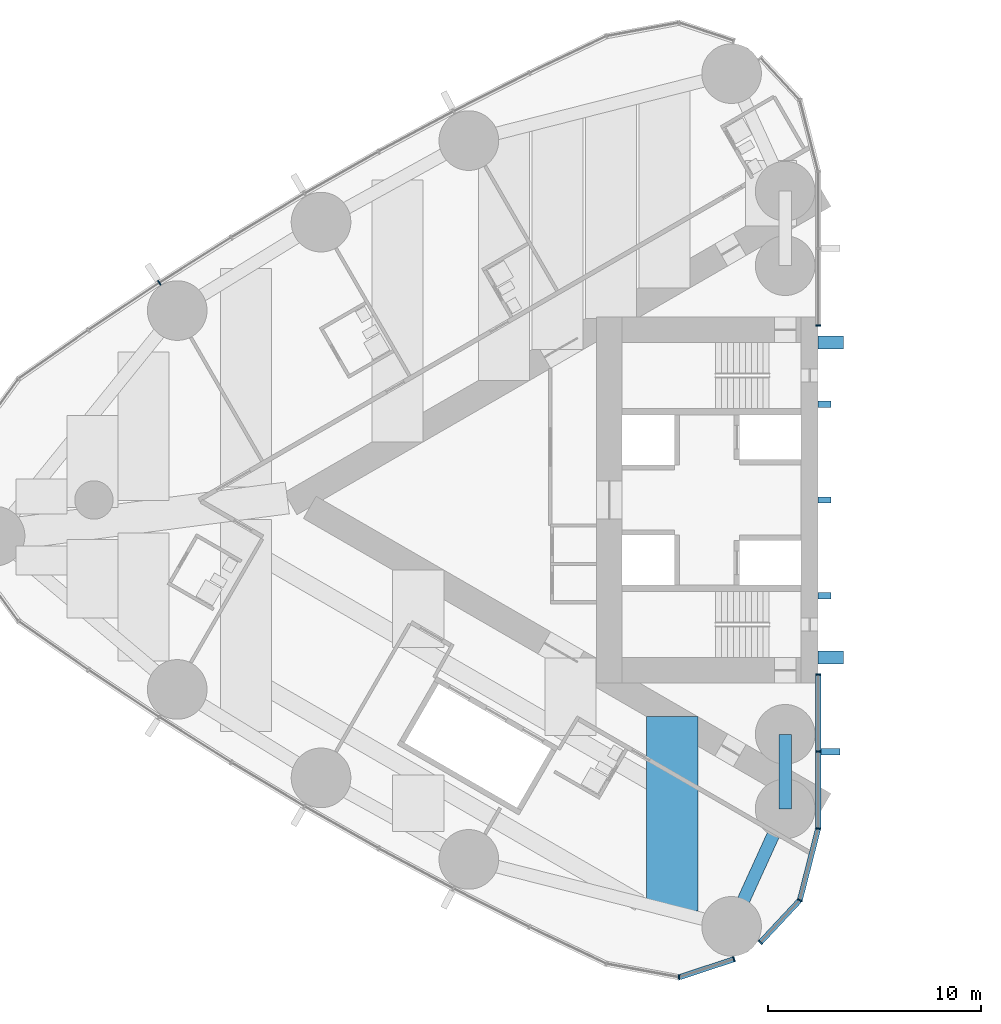
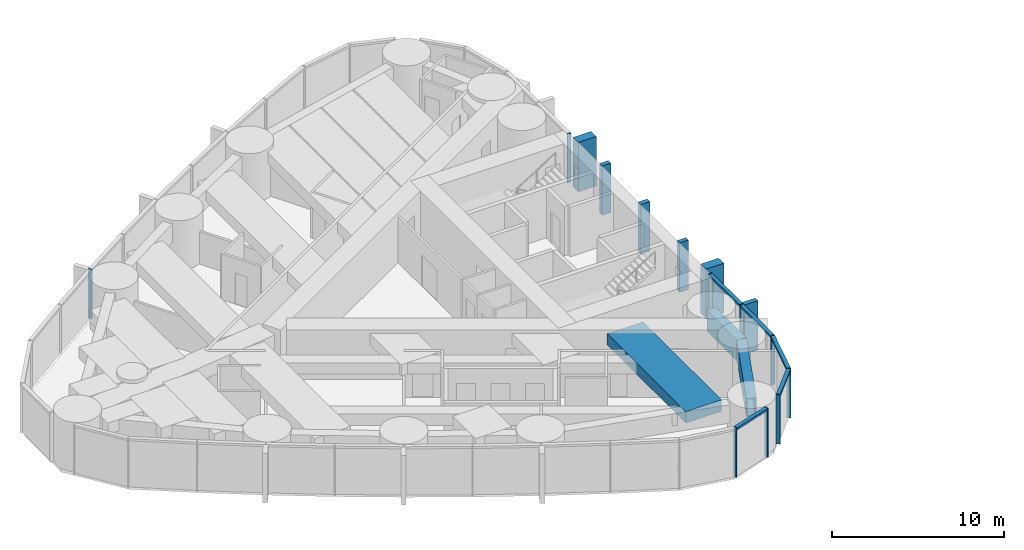
# One storey, part 4 of 19: 20 members, 3 beams, 4 elements without a shape of their own.
"""IFC4 building model written with IfcOpenShell, lengths in metres."""

from ifc_helpers import new_model, si_unit, direction, frame, origin, origin_2d, place, context, subcontext, project, spatial, rectangle, hollow_rectangle, extrude, material, material_profile, profile_set, type_object, element, aggregate, save


model = new_model("IFC4")

# Units and contexts
model_context = context("Model", 3, precision=1e-05, world=origin(), true_north=direction((0.0, 1.0)))
body_context = subcontext(model_context, "Body", "Model", "MODEL_VIEW")
ifc_project = project(units=[si_unit("LENGTHUNIT", "METRE"), si_unit("AREAUNIT", "SQUARE_METRE"), si_unit("VOLUMEUNIT", "CUBIC_METRE"), si_unit("PLANEANGLEUNIT", "RADIAN"), si_unit("MASSUNIT", "GRAM", prefix="KILO")], contexts=[model_context])

# Site, building, storey
site_placement = place(None, origin())
site = spatial("IfcSite", under=ifc_project, at=site_placement, CompositionType="ELEMENT")
building_placement = place(site_placement, origin())
building = spatial("IfcBuilding", under=site, at=building_placement, Name="Lancet Gate Hotel", CompositionType="ELEMENT")
storey_placement = place(building_placement, frame((0.0, 0.0, 198.300048828125)))
storey = spatial("IfcBuildingStorey", under=building, at=storey_placement, Name="L53", CompositionType="ELEMENT", Elevation=198.300048828125)

# Curtain wall, member
ifc_material_1 = material(Name="Aluminium curtain wall", Category="aluminium")
curtain_wall_type = type_object("IfcCurtainWallType", Name="Tower unitised curtain wall", PredefinedType="USERDEFINED", material=ifc_material_1)
curtain_wall_1_placement = place(storey_placement, origin())
curtain_wall_1 = element("IfcCurtainWall", 1, at=curtain_wall_1_placement, inside=storey, type_object=curtain_wall_type, Name="T1 L53 curtain wall 1", ObjectType="UNITISED CURTAIN WALL", PredefinedType="USERDEFINED")
ifc_material_2 = material(Name="Aluminium mullion", Category="aluminium")
ifc_material_profile_1 = material_profile(ifc_material_2, rectangle(XDim=0.06494140625, YDim=0.25, at=origin_2d()), Name="MULLION 65x250")
ifc_profile_set_1 = profile_set([ifc_material_profile_1], Name="Aluminium mullion")
member_type_1 = type_object("IfcMemberType", Name="Aluminium mullion 65x250", PredefinedType="MULLION", material=ifc_profile_set_1)
member_1_placement = place(storey_placement, frame((-27.5, 8.199951171875, 0.0), z_axis=(0.0, 0.0, 1.0), x_axis=(0.0, 1.0, 0.0)))
member_1 = element("IfcMember", 2, at=member_1_placement, type_object=member_type_1, Name="T1 L53 curtain wall 1 mullion 1", PredefinedType="MULLION", context=body_context, shape_type="SweptSolid", body=[
    extrude(rectangle(XDim=0.06494140625, YDim=0.25, at=origin_2d()), origin(), (0.0, 0.0, 1.0), 3.5),
])
aggregate(curtain_wall_1, [member_1])

curtain_wall_2_placement = place(storey_placement, origin())
curtain_wall_2 = element("IfcCurtainWall", 3, at=curtain_wall_2_placement, inside=storey, type_object=curtain_wall_type, Name="T1 L53 curtain wall 2", ObjectType="UNITISED CURTAIN WALL", PredefinedType="USERDEFINED")
member_2_placement = place(storey_placement, frame((-58.43212890625, 10.194091796875, 0.0), z_axis=(0.0, 0.0, 1.0), x_axis=(-0.839331119324, -0.54362052218, 0.0)))
member_2 = element("IfcMember", 4, at=member_2_placement, type_object=member_type_1, Name="T1 L53 curtain wall 2 mullion 9", PredefinedType="MULLION", context=body_context, shape_type="SweptSolid", body=[
    extrude(rectangle(XDim=0.06494140625, YDim=0.25, at=origin_2d()), origin(), (0.0, 0.0, 1.0), 3.5),
])
aggregate(curtain_wall_2, [member_2])

# Curtain wall, members
curtain_wall_3_placement = place(storey_placement, origin())
curtain_wall_3 = element("IfcCurtainWall", 5, at=curtain_wall_3_placement, inside=storey, type_object=curtain_wall_type, Name="T1 L53 curtain wall 3", ObjectType="UNITISED CURTAIN WALL", PredefinedType="USERDEFINED")
member_3_placement = place(storey_placement, frame((-34.02783203125, -22.407470703125, 0.0), z_axis=(0.0, 0.0, 1.0), x_axis=(0.999350473622, 0.036036521361, 0.0)))
member_3 = element("IfcMember", 6, at=member_3_placement, type_object=member_type_1, Name="T1 L53 curtain wall 3 mullion 11", PredefinedType="MULLION", context=body_context, shape_type="SweptSolid", body=[
    extrude(rectangle(XDim=0.06494140625, YDim=0.25, at=origin_2d()), origin(), (0.0, 0.0, 1.0), 3.5),
])
member_4_placement = place(storey_placement, frame((-31.45263671875, -21.5595703125, 0.0), z_axis=(0.0, 0.0, 1.0), x_axis=(0.949848055084, 0.312711803827, 0.0)))
member_4 = element("IfcMember", 7, at=member_4_placement, type_object=member_type_1, Name="T1 L53 curtain wall 3 mullion 12", PredefinedType="MULLION", context=body_context, shape_type="SweptSolid", body=[
    extrude(rectangle(XDim=0.06494140625, YDim=0.25, at=origin_2d()), origin(), (0.0, 0.0, 1.0), 3.5),
])

curtain_wall_4_placement = place(storey_placement, origin())
curtain_wall_4 = element("IfcCurtainWall", 8, at=curtain_wall_4_placement, inside=storey, type_object=curtain_wall_type, Name="T1 L53 curtain wall 4", ObjectType="UNITISED CURTAIN WALL", PredefinedType="USERDEFINED")
member_5_placement = place(storey_placement, frame((-30.210693359375, -20.765625, 0.0), z_axis=(0.0, 0.0, 1.0), x_axis=(0.682844962172, 0.730563315282, 0.0)))
member_5 = element("IfcMember", 9, at=member_5_placement, type_object=member_type_1, Name="T1 L53 curtain wall 4 mullion 1", PredefinedType="MULLION", context=body_context, shape_type="SweptSolid", body=[
    extrude(rectangle(XDim=0.06494140625, YDim=0.25, at=origin_2d()), origin(), (0.0, 0.0, 1.0), 3.5),
])
member_6_placement = place(storey_placement, frame((-28.360595703125, -18.7861328125, 0.0), z_axis=(0.0, 0.0, 1.0), x_axis=(0.452507601198, 0.891760545695, 0.0)))
member_6 = element("IfcMember", 10, at=member_6_placement, type_object=member_type_1, Name="T1 L53 curtain wall 4 mullion 2", PredefinedType="MULLION", context=body_context, shape_type="SweptSolid", body=[
    extrude(rectangle(XDim=0.06494140625, YDim=0.25, at=origin_2d()), origin(), (0.0, 0.0, 1.0), 3.5),
])
member_7_placement = place(storey_placement, frame((-27.5, -15.42333984375, 0.0), z_axis=(0.0, 0.0, 1.0), x_axis=(0.122467472845, 0.992472527627, 0.0)))
member_7 = element("IfcMember", 11, at=member_7_placement, type_object=member_type_1, Name="T1 L53 curtain wall 4 mullion 3", PredefinedType="MULLION", context=body_context, shape_type="SweptSolid", body=[
    extrude(rectangle(XDim=0.06494140625, YDim=0.25, at=origin_2d()), origin(), (0.0, 0.0, 1.0), 3.5),
])
member_8_placement = place(storey_placement, frame((-27.5, -11.811767578125, 0.0), z_axis=(0.0, 0.0, 1.0), x_axis=(0.0, 1.0, 0.0)))
member_8 = element("IfcMember", 12, at=member_8_placement, type_object=member_type_1, Name="T1 L53 curtain wall 4 mullion 4", PredefinedType="MULLION", context=body_context, shape_type="SweptSolid", body=[
    extrude(rectangle(XDim=0.06494140625, YDim=0.25, at=origin_2d()), origin(), (0.0, 0.0, 1.0), 3.5),
])
member_9_placement = place(storey_placement, frame((-27.5, -8.199951171875, 0.0), z_axis=(0.0, 0.0, 1.0), x_axis=(0.0, 1.0, 0.0)))
member_9 = element("IfcMember", 13, at=member_9_placement, type_object=member_type_1, Name="T1 L53 curtain wall 4 mullion 5", PredefinedType="MULLION", context=body_context, shape_type="SweptSolid", body=[
    extrude(rectangle(XDim=0.06494140625, YDim=0.25, at=origin_2d()), origin(), (0.0, 0.0, 1.0), 3.5),
])

# Member
ifc_material_3 = material(Name="Aluminium transom", Category="aluminium")
ifc_material_profile_2 = material_profile(ifc_material_3, rectangle(XDim=0.25, YDim=0.14990234375, at=origin_2d()), Name="TRANSOM 250x150")
ifc_profile_set_2 = profile_set([ifc_material_profile_2], Name="Aluminium transom")
member_type_2 = type_object("IfcMemberType", Name="Aluminium transom 250x150", PredefinedType="USERDEFINED", material=ifc_profile_set_2)
member_10_placement = place(storey_placement, frame((-33.9970703125, -22.397216796875, 3.425048828125), z_axis=(0.949857661259, 0.312682623993, 0.0), x_axis=(-0.312682623993, 0.949857661259, 0.0)))
member_10 = element("IfcMember", 14, at=member_10_placement, type_object=member_type_2, Name="T1 L53 curtain wall 3 transom 11", ObjectType="TRANSOM", PredefinedType="USERDEFINED", context=body_context, shape_type="SweptSolid", body=[
    extrude(rectangle(XDim=0.25, YDim=0.14990234375, at=origin_2d()), origin(), (0.0, 0.0, 1.0), 2.64599609375),
])

aggregate(curtain_wall_3, [member_3, member_4, member_10])

member_11_placement = place(storey_placement, frame((-30.188720703125, -20.741943359375, 3.425048828125), z_axis=(0.682841037959, 0.730566983157, 0.0), x_axis=(-0.730566983157, 0.682841037959, 0.0)))
member_11 = element("IfcMember", 15, at=member_11_placement, type_object=member_type_2, Name="T1 L53 curtain wall 4 transom 1", ObjectType="TRANSOM", PredefinedType="USERDEFINED", context=body_context, shape_type="SweptSolid", body=[
    extrude(rectangle(XDim=0.25, YDim=0.14990234375, at=origin_2d()), origin(), (0.0, 0.0, 1.0), 2.644775390625),
])

member_12_placement = place(storey_placement, frame((-28.3525390625, -18.754638671875, 3.425048828125), z_axis=(0.247928683912, 0.968778286139, 0.0), x_axis=(-0.968778286139, 0.247928683912, 0.0)))
member_12 = element("IfcMember", 16, at=member_12_placement, type_object=member_type_2, Name="T1 L53 curtain wall 4 transom 2", ObjectType="TRANSOM", PredefinedType="USERDEFINED", context=body_context, shape_type="SweptSolid", body=[
    extrude(rectangle(XDim=0.25, YDim=0.14990234375, at=origin_2d()), origin(), (0.0, 0.0, 1.0), 3.40625),
])

member_13_placement = place(storey_placement, frame((-27.5, -15.390869140625, 3.425048828125), z_axis=(0.0, 1.0, 0.0), x_axis=(-1.0, 0.0, 0.0)))
member_13 = element("IfcMember", 17, at=member_13_placement, type_object=member_type_2, Name="T1 L53 curtain wall 4 transom 3", ObjectType="TRANSOM", PredefinedType="USERDEFINED", context=body_context, shape_type="SweptSolid", body=[
    extrude(rectangle(XDim=0.25, YDim=0.14990234375, at=origin_2d()), origin(), (0.0, 0.0, 1.0), 3.546630859375),
])

member_14_placement = place(storey_placement, frame((-27.5, -11.779296875, 3.425048828125), z_axis=(0.0, 1.0, 0.0), x_axis=(-1.0, 0.0, 0.0)))
member_14 = element("IfcMember", 18, at=member_14_placement, type_object=member_type_2, Name="T1 L53 curtain wall 4 transom 4", ObjectType="TRANSOM", PredefinedType="USERDEFINED", context=body_context, shape_type="SweptSolid", body=[
    extrude(rectangle(XDim=0.25, YDim=0.14990234375, at=origin_2d()), origin(), (0.0, 0.0, 1.0), 3.546875),
])

# Beam
ifc_material_4 = material(Name="Steel S460QL", Category="steel")
ifc_material_profile_3 = material_profile(ifc_material_4, hollow_rectangle(XDim=0.60009765625, YDim=1.300048828125, WallThickness=0.050048828125, at=origin_2d()), Name="BOX 1300x600x50")
ifc_profile_set_3 = profile_set([ifc_material_profile_3], Name="Steel S460QL")
beam_type_1 = type_object("IfcBeamType", Name="Edge beam BOX 1300x600x50", PredefinedType="SPANDREL", material=ifc_profile_set_3)
beam_1_placement = place(storey_placement, frame((-29.050048828125, -14.5, 2.599853515625), z_axis=(-0.414919206993, -0.909858259109, 0.0), x_axis=(0.909858259109, -0.414919206993, 0.0)))
element("IfcBeam", 19, at=beam_1_placement, inside=storey, type_object=beam_type_1, Name="T1 edge beam EB2 L53", PredefinedType="SPANDREL", context=body_context, shape_type="SweptSolid", body=[
    extrude(hollow_rectangle(XDim=0.60009765625, YDim=1.300048828125, WallThickness=0.050048828125, at=origin_2d()), origin(), (0.0, 0.0, 1.0), 6.062255859375),
])

# Members
ifc_material_5 = material(Name="Concrete C60/75", Category="concrete")
ifc_material_profile_4 = material_profile(ifc_material_5, rectangle(XDim=0.60009765625, YDim=1.199951171875, at=origin_2d()), Name="FIN 600x1200")
ifc_profile_set_4 = profile_set([ifc_material_profile_4], Name="Concrete C60/75")
member_type_3 = type_object("IfcMemberType", Name="Exposed concrete buttress pilaster 600x1200", PredefinedType="USERDEFINED", material=ifc_profile_set_4)
for number, where, z_axis, x_axis, name in (
    (20, (-26.909912109375, 7.39990234375, 0.0), (0.0, 0.0, 1.0), (0.0, 1.0, 0.0), "T1 buttress pilaster S L53"),
    (21, (-26.909912109375, -7.39990234375, 0.0), (0.0, 0.0, 1.0), (0.0, 1.0, 0.0), "T1 buttress pilaster N L53"),
):
    element("IfcMember", number, at=place(storey_placement, frame(where, z_axis=z_axis, x_axis=x_axis)), inside=storey, type_object=member_type_3, Name=name, ObjectType="FIN", PredefinedType="USERDEFINED", context=body_context, shape_type="SweptSolid", body=[
        extrude(rectangle(XDim=0.60009765625, YDim=1.199951171875, at=origin_2d()), origin(), (0.0, 0.0, 1.0), 3.5),
    ])

# Member
ifc_material_6 = material(Name="Precast concrete C50/60", Category="concrete")
ifc_material_profile_5 = material_profile(ifc_material_6, rectangle(XDim=0.300048828125, YDim=0.89990234375, at=origin_2d()), Name="FIN 300x900")
ifc_profile_set_5 = profile_set([ifc_material_profile_5], Name="Precast concrete C50/60")
member_type_4 = type_object("IfcMemberType", Name="Exposed concrete fin 300x900", PredefinedType="USERDEFINED", material=ifc_profile_set_5)
member_15_placement = place(storey_placement, frame((-26.925048828125, -11.811767578125, 0.0), z_axis=(0.0, 0.0, 1.0), x_axis=(0.0, 1.0, 0.0)))
member_15 = element("IfcMember", 22, at=member_15_placement, type_object=member_type_4, Name="T1 L53 curtain wall 4 fin 4", ObjectType="FIN", PredefinedType="USERDEFINED", context=body_context, shape_type="SweptSolid", body=[
    extrude(rectangle(XDim=0.300048828125, YDim=0.89990234375, at=origin_2d()), origin(), (0.0, 0.0, 1.0), 3.5),
])

aggregate(curtain_wall_4, [member_5, member_6, member_7, member_8, member_15, member_9, member_11, member_12, member_13, member_14])

# Members
ifc_material_7 = material(Name="Concrete C60/75", Category="concrete")
ifc_material_profile_6 = material_profile(ifc_material_7, rectangle(XDim=0.300048828125, YDim=0.60009765625, at=origin_2d()), Name="FIN 300x600")
ifc_profile_set_6 = profile_set([ifc_material_profile_6], Name="Concrete C60/75")
member_type_5 = type_object("IfcMemberType", Name="Exposed concrete rib 300x600", PredefinedType="USERDEFINED", material=ifc_profile_set_6)
for number, where, z_axis, x_axis, name in (
    (23, (-27.2099609375, 4.5, 0.0), (0.0, 0.0, 1.0), (0.0, 1.0, 0.0), "T1 core rib 1 L53"),
    (24, (-27.2099609375, 0.0, 0.0), (0.0, 0.0, 1.0), (0.0, 1.0, 0.0), "T1 core rib 2 L53"),
    (25, (-27.2099609375, -4.5, 0.0), (0.0, 0.0, 1.0), (0.0, 1.0, 0.0), "T1 core rib 3 L53"),
):
    element("IfcMember", number, at=place(storey_placement, frame(where, z_axis=z_axis, x_axis=x_axis)), inside=storey, type_object=member_type_5, Name=name, ObjectType="FIN", PredefinedType="USERDEFINED", context=body_context, shape_type="SweptSolid", body=[
        extrude(rectangle(XDim=0.300048828125, YDim=0.60009765625, at=origin_2d()), origin(), (0.0, 0.0, 1.0), 3.5),
    ])

# Beams
ifc_material_8 = material(Name="Concrete C50/60", Category="concrete")
ifc_material_profile_7 = material_profile(ifc_material_8, rectangle(XDim=2.39990234375, YDim=0.800048828125, at=origin_2d()), Name="RC 2400x800")
ifc_profile_set_7 = profile_set([ifc_material_profile_7], Name="Concrete C50/60")
beam_type_2 = type_object("IfcBeamType", Name="Floor beam RC 2400x800", PredefinedType="BEAM", material=ifc_profile_set_7)
beam_2_placement = place(storey_placement, frame((-34.353515625, -10.169921875, 2.849853515625), z_axis=(0.0, -1.0, 0.0), x_axis=(1.0, 0.0, 0.0)))
element("IfcBeam", 26, at=beam_2_placement, inside=storey, type_object=beam_type_2, Name="T1 floor beam F02N L53", PredefinedType="BEAM", context=body_context, shape_type="SweptSolid", body=[
    extrude(rectangle(XDim=2.39990234375, YDim=0.800048828125, at=origin_2d()), origin(), (0.0, 0.0, 1.0), 9.13525390625),
])
ifc_material_9 = material(Name="Steel S460QL", Category="steel")
ifc_material_profile_8 = material_profile(ifc_material_9, hollow_rectangle(XDim=0.60009765625, YDim=1.5, WallThickness=0.050048828125, at=origin_2d()), Name="BOX 1500x600x50")
ifc_profile_set_8 = profile_set([ifc_material_profile_8], Name="Steel S460QL")
beam_type_3 = type_object("IfcBeamType", Name="Inner-face link beam BOX 1500x600x50", PredefinedType="BEAM", material=ifc_profile_set_8)
beam_3_placement = place(storey_placement, frame((-29.050048828125, -11.0, 2.5), z_axis=(0.0, -1.0, 0.0), x_axis=(1.0, 0.0, 0.0)))
element("IfcBeam", 27, at=beam_3_placement, inside=storey, type_object=beam_type_3, Name="T1 inner-face link beam LK1 L53", PredefinedType="BEAM", context=body_context, shape_type="SweptSolid", body=[
    extrude(hollow_rectangle(XDim=0.60009765625, YDim=1.5, WallThickness=0.050048828125, at=origin_2d()), origin(), (0.0, 0.0, 1.0), 3.5),
])

save(model, "model.ifc")
